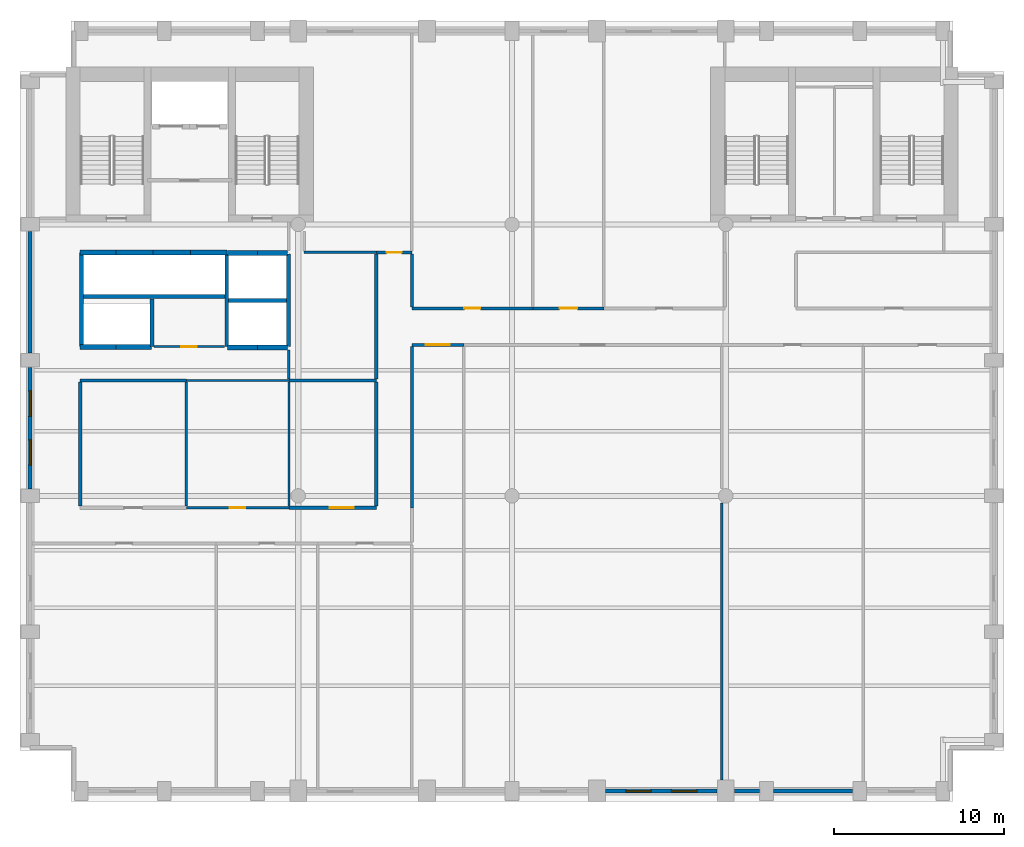
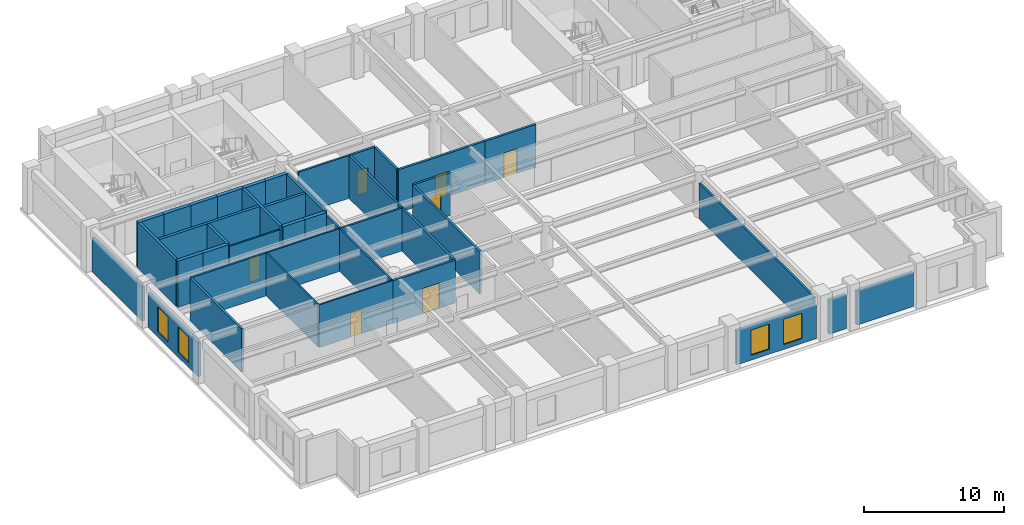
# One storey, part 3 of 8: 41 walls, 7 doors, 4 windows, 11 openings.
"""IFC4 building model written with IfcOpenShell, lengths in metres."""

from ifc_helpers import new_model, si_unit, direction, frame, frame_2d, origin, place, context, subcontext, project, spatial, rectangle, extrude, material, layer, layer_set, type_object, element, fill, save


model = new_model("IFC4")

# Units and contexts
model_context = context("Model", 3, precision=1e-05, world=origin(), true_north=direction((0.0, 1.0)))
body_context = subcontext(model_context, "Body", "Model", "MODEL_VIEW")
ifc_project = project(units=[si_unit("LENGTHUNIT", "METRE"), si_unit("AREAUNIT", "SQUARE_METRE"), si_unit("VOLUMEUNIT", "CUBIC_METRE"), si_unit("PLANEANGLEUNIT", "RADIAN"), si_unit("MASSUNIT", "GRAM", prefix="KILO")], contexts=[model_context])

# Site, building, storey
site_placement = place(None, origin())
site = spatial("IfcSite", under=ifc_project, at=site_placement, CompositionType="ELEMENT")
building_placement = place(site_placement, origin())
building = spatial("IfcBuilding", under=site, at=building_placement, Name="Sulina Concourse Tower", CompositionType="ELEMENT")
storey_placement = place(building_placement, frame((0.0, 0.0, 170.60009765625)))
storey = spatial("IfcBuildingStorey", under=building, at=storey_placement, Name="L41", CompositionType="ELEMENT", Elevation=170.60009765625)

# Walls
ifc_material_1 = material(Name="Concrete C50/60", Category="concrete")
ifc_layer_1 = layer(ifc_material_1, 0.219970703125)
ifc_layer_set_1 = layer_set([ifc_layer_1], Name="Concrete C50/60")
wall_type_1 = type_object("IfcWallType", Name="Core Lift Hoistway Divider Wall 220mm", PredefinedType="SOLIDWALL", material=ifc_layer_set_1)
wall_1_placement = place(storey_placement, frame((3.550048828125, 29.75, 0.0), z_axis=(0.0, 0.0, 1.0), x_axis=(1.0, 0.0, 0.0)))
element("IfcWall", 1, at=wall_1_placement, inside=storey, type_object=wall_type_1, Name="L41 shaft divider wall HW-LP3-S", PredefinedType="SOLIDWALL", context=body_context, shape_type="SweptSolid", body=[
    extrude(rectangle(XDim=8.64990234375, YDim=0.219970703125, at=frame_2d((4.324951171875, 0.0))), origin(), (0.0, 0.0, 1.0), 4.0),
])
wall_2_placement = place(storey_placement, frame((3.6298828125, 26.800048828125, 0.0), z_axis=(0.0, 0.0, 1.0), x_axis=(0.0, 1.0, 0.0)))
element("IfcWall", 2, at=wall_2_placement, inside=storey, type_object=wall_type_1, Name="L41 shaft divider wall HW-LP3-W", PredefinedType="SOLIDWALL", context=body_context, shape_type="SweptSolid", body=[
    extrude(rectangle(XDim=5.550048828125, YDim=0.219970703125, at=frame_2d((2.77490234375, 0.0))), origin(), (0.0, 0.0, 1.0), 4.0),
])
wall_3_placement = place(storey_placement, frame((7.780029296875, 26.800048828125, 0.0), z_axis=(0.0, 0.0, 1.0), x_axis=(0.0, 1.0, 0.0)))
element("IfcWall", 3, at=wall_3_placement, inside=storey, type_object=wall_type_1, Name="L41 shaft divider wall HW-EXP-E", PredefinedType="SOLIDWALL", context=body_context, shape_type="SweptSolid", body=[
    extrude(rectangle(XDim=2.800048828125, YDim=0.219970703125, at=frame_2d((1.39990234375, 0.0))), origin(), (0.0, 0.0, 1.0), 4.0),
])
for number, where, z_axis, x_axis, name in (
    (4, (12.179931640625, 26.800048828125, 0.0), (0.0, 0.0, 1.0), (0.0, 1.0, 0.0), "L41 shaft divider wall HW-LP2-W"),
    (5, (15.820068359375, 26.800048828125, 0.0), (0.0, 0.0, 1.0), (0.0, 1.0, 0.0), "L41 shaft divider wall HW-LP2-E"),
):
    element("IfcWall", number, at=place(storey_placement, frame(where, z_axis=z_axis, x_axis=x_axis)), inside=storey, type_object=wall_type_1, Name=name, PredefinedType="SOLIDWALL", context=body_context, shape_type="SweptSolid", body=[
        extrude(rectangle(XDim=5.449951171875, YDim=0.219970703125, at=frame_2d((2.72509765625, 0.0))), origin(), (0.0, 0.0, 1.0), 4.0),
    ])
wall_4_placement = place(storey_placement, frame((12.300048828125, 29.52001953125, 0.0), z_axis=(0.0, 0.0, 1.0), x_axis=(1.0, 0.0, 0.0)))
element("IfcWall", 6, at=wall_4_placement, inside=storey, type_object=wall_type_1, Name="L41 shaft divider wall HW-LP2-M", PredefinedType="SOLIDWALL", context=body_context, shape_type="SweptSolid", body=[
    extrude(rectangle(XDim=3.39990234375, YDim=0.219970703125, at=frame_2d((1.699951171875, 0.0))), origin(), (0.0, 0.0, 1.0), 4.0),
])
ifc_material_2 = material(Name="Concrete C50/60", Category="concrete")
ifc_layer_2 = layer(ifc_material_2, 0.300048828125)
ifc_layer_set_2 = layer_set([ifc_layer_2], Name="Concrete C50/60")
wall_type_2 = type_object("IfcWallType", Name="Core Lift Hoistway Wall 300mm", PredefinedType="SOLIDWALL", material=ifc_layer_set_2)
for number, where, z_axis, x_axis, name in (
    (7, (14.0, 26.75, 0.0), (0.0, 0.0, 1.0), (-1.0, 0.0, 0.0), "L41 hoistway enclosure wall LP-05"),
    (8, (15.780029296875, 26.75, 0.0), (0.0, 0.0, 1.0), (-1.0, 0.0, 0.0), "L41 hoistway enclosure wall LP-06"),
    (9, (12.219970703125, 32.320068359375, 0.0), (0.0, 0.0, 1.0), (1.0, 0.0, 0.0), "L41 hoistway enclosure wall LP-07"),
    (10, (14.0, 32.320068359375, 0.0), (0.0, 0.0, 1.0), (1.0, 0.0, 0.0), "L41 hoistway enclosure wall LP-08"),
):
    element("IfcWall", number, at=place(storey_placement, frame(where, z_axis=z_axis, x_axis=x_axis)), inside=storey, type_object=wall_type_2, Name=name, PredefinedType="SOLIDWALL", context=body_context, shape_type="SweptSolid", body=[
        extrude(rectangle(XDim=1.780029296875, YDim=0.300048828125, at=frame_2d((0.89013671875, 0.0))), origin(), (0.0, 0.0, 1.0), 4.0),
    ])
wall_5_placement = place(storey_placement, frame((3.550048828125, 32.35009765625, 0.0), z_axis=(0.0, 0.0, 1.0), x_axis=(1.0, 0.0, 0.0)))
element("IfcWall", 11, at=wall_5_placement, inside=storey, type_object=wall_type_2, Name="L41 hoistway enclosure wall LP-09", PredefinedType="SOLIDWALL", context=body_context, shape_type="SweptSolid", body=[
    extrude(rectangle(XDim=2.099853515625, YDim=0.300048828125, at=frame_2d((1.0498046875, 0.0))), origin(), (0.0, 0.0, 1.0), 4.0),
])
wall_6_placement = place(storey_placement, frame((5.64990234375, 32.35009765625, 0.0), z_axis=(0.0, 0.0, 1.0), x_axis=(1.0, 0.0, 0.0)))
element("IfcWall", 12, at=wall_6_placement, inside=storey, type_object=wall_type_2, Name="L41 hoistway enclosure wall LP-10", PredefinedType="SOLIDWALL", context=body_context, shape_type="SweptSolid", body=[
    extrude(rectangle(XDim=2.2001953125, YDim=0.300048828125, at=frame_2d((1.10009765625, 0.0))), origin(), (0.0, 0.0, 1.0), 4.0),
])
wall_7_placement = place(storey_placement, frame((7.85009765625, 32.35009765625, 0.0), z_axis=(0.0, 0.0, 1.0), x_axis=(1.0, 0.0, 0.0)))
element("IfcWall", 13, at=wall_7_placement, inside=storey, type_object=wall_type_2, Name="L41 hoistway enclosure wall LP-11", PredefinedType="SOLIDWALL", context=body_context, shape_type="SweptSolid", body=[
    extrude(rectangle(XDim=2.199951171875, YDim=0.300048828125, at=frame_2d((1.10009765625, 0.0))), origin(), (0.0, 0.0, 1.0), 4.0),
])
wall_8_placement = place(storey_placement, frame((10.050048828125, 32.35009765625, 0.0), z_axis=(0.0, 0.0, 1.0), x_axis=(1.0, 0.0, 0.0)))
element("IfcWall", 14, at=wall_8_placement, inside=storey, type_object=wall_type_2, Name="L41 hoistway enclosure wall LP-12", PredefinedType="SOLIDWALL", context=body_context, shape_type="SweptSolid", body=[
    extrude(rectangle(XDim=2.14990234375, YDim=0.300048828125, at=frame_2d((1.074951171875, 0.0))), origin(), (0.0, 0.0, 1.0), 4.0),
])
wall_9_placement = place(storey_placement, frame((5.64990234375, 26.780029296875, 0.0), z_axis=(0.0, 0.0, 1.0), x_axis=(-1.0, 0.0, 0.0)))
element("IfcWall", 15, at=wall_9_placement, inside=storey, type_object=wall_type_2, Name="L41 hoistway enclosure wall EXP-1", PredefinedType="SOLIDWALL", context=body_context, shape_type="SweptSolid", body=[
    extrude(rectangle(XDim=2.099853515625, YDim=0.300048828125, at=frame_2d((1.0498046875, 0.0))), origin(), (0.0, 0.0, 1.0), 4.0),
])
wall_10_placement = place(storey_placement, frame((7.75, 26.780029296875, 0.0), z_axis=(0.0, 0.0, 1.0), x_axis=(-1.0, 0.0, 0.0)))
element("IfcWall", 16, at=wall_10_placement, inside=storey, type_object=wall_type_2, Name="L41 hoistway enclosure wall EXP-2", PredefinedType="SOLIDWALL", context=body_context, shape_type="SweptSolid", body=[
    extrude(rectangle(XDim=2.10009765625, YDim=0.300048828125, at=frame_2d((1.050048828125, 0.0))), origin(), (0.0, 0.0, 1.0), 4.0),
])

# Wall, openings, windows
ifc_material_3 = material(Name="Precast concrete C50/60", Category="concrete")
ifc_layer_3 = layer(ifc_material_3, 0.239990234375)
ifc_layer_set_3 = layer_set([ifc_layer_3], Name="Precast concrete C50/60")
wall_type_3 = type_object("IfcWallType", Name="Crown Precast Masonry-Frame Facade Wall 240mm", PredefinedType="SOLIDWALL", material=ifc_layer_set_3)
wall_11_placement = place(storey_placement, frame((41.080078125, 0.60009765625, 0.0), z_axis=(0.0, 0.0, 1.0), x_axis=(-1.0, 0.0, 0.0)))
wall_11 = element("IfcWall", 17, at=wall_11_placement, inside=storey, type_object=wall_type_3, Name="L41 exterior precast wall S7", PredefinedType="SOLIDWALL", context=body_context, shape_type="SweptSolid", body=[
    extrude(rectangle(XDim=6.56005859375, YDim=0.239990234375, at=frame_2d((3.280029296875, 0.0))), origin(), (0.0, 0.0, 1.0), 2.974853515625),
])
opening_1_placement = place(wall_11_placement, frame((1.186767578125, 0.0, 0.419921875)))
opening_1 = element("IfcOpeningElement", 18, at=opening_1_placement, cuts=wall_11, Name="Opening WN-71", PredefinedType="OPENING", context=body_context, shape_type="SweptSolid", body=[
    extrude(rectangle(XDim=1.5, YDim=2.199951171875, at=frame_2d((0.75, 1.10009765625))), frame((0.0, 0.1298828125, 0.0), z_axis=(0.0, -1.0, 0.0), x_axis=(1.0, 0.0, 0.0)), (0.0, 0.0, 1.0), 0.260009765625),
])
opening_2_placement = place(wall_11_placement, frame((3.873291015625, 0.0, 0.419921875)))
opening_2 = element("IfcOpeningElement", 19, at=opening_2_placement, cuts=wall_11, Name="Opening WN-71", PredefinedType="OPENING", context=body_context, shape_type="SweptSolid", body=[
    extrude(rectangle(XDim=1.5, YDim=2.199951171875, at=frame_2d((0.75, 1.10009765625))), frame((0.0, 0.1298828125, 0.0), z_axis=(0.0, -1.0, 0.0), x_axis=(1.0, 0.0, 0.0)), (0.0, 0.0, 1.0), 0.260009765625),
])
ifc_material_4 = material(Name="Low-E solar double glazing in bronze aluminium", Category="aluminium")
window_type = type_object("IfcWindowType", Name="Punched Masonry-Frame Window 1500x2200", PartitioningType="SINGLE_PANEL", PredefinedType="WINDOW", material=ifc_material_4)
window_1_placement = place(opening_1_placement, origin())
window_1 = element("IfcWindow", 20, at=window_1_placement, inside=storey, type_object=window_type, Name="L41 punched window S7-1", OverallHeight=2.199951171875, OverallWidth=1.5, PartitioningType="SINGLE_PANEL", PredefinedType="WINDOW", context=body_context, shape_type="SweptSolid", body=[
    extrude(rectangle(XDim=1.5, YDim=2.199951171875, at=frame_2d((0.75, 1.10009765625))), frame((0.0, 0.030029296875, 0.0), z_axis=(0.0, -1.0, 0.0), x_axis=(1.0, 0.0, 0.0)), (0.0, 0.0, 1.0), 0.06005859375),
])
fill(opening_1, window_1)
window_2_placement = place(opening_2_placement, origin())
window_2 = element("IfcWindow", 21, at=window_2_placement, inside=storey, type_object=window_type, Name="L41 punched window S7-2", OverallHeight=2.199951171875, OverallWidth=1.5, PartitioningType="SINGLE_PANEL", PredefinedType="WINDOW", context=body_context, shape_type="SweptSolid", body=[
    extrude(rectangle(XDim=1.5, YDim=2.199951171875, at=frame_2d((0.75, 1.10009765625))), frame((0.0, 0.030029296875, 0.0), z_axis=(0.0, -1.0, 0.0), x_axis=(1.0, 0.0, 0.0)), (0.0, 0.0, 1.0), 0.06005859375),
])
fill(opening_2, window_2)

# Walls
wall_12_placement = place(storey_placement, frame((43.580078125, 0.60009765625, 0.0), z_axis=(0.0, 0.0, 1.0), x_axis=(-1.0, 0.0, 0.0)))
element("IfcWall", 22, at=wall_12_placement, inside=storey, type_object=wall_type_3, Name="L41 exterior precast wall S8", PredefinedType="SOLIDWALL", context=body_context, shape_type="SweptSolid", body=[
    extrude(rectangle(XDim=1.4599609375, YDim=0.239990234375, at=frame_2d((0.72998046875, 0.0))), origin(), (0.0, 0.0, 1.0), 2.974853515625),
])
wall_13_placement = place(storey_placement, frame((49.080078125, 0.60009765625, 0.0), z_axis=(0.0, 0.0, 1.0), x_axis=(-1.0, 0.0, 0.0)))
element("IfcWall", 23, at=wall_13_placement, inside=storey, type_object=wall_type_3, Name="L41 exterior precast wall S9", PredefinedType="SOLIDWALL", context=body_context, shape_type="SweptSolid", body=[
    extrude(rectangle(XDim=4.66015625, YDim=0.239990234375, at=frame_2d((2.330078125, 0.0))), origin(), (0.0, 0.0, 1.0), 2.974853515625),
])

# Wall, openings, windows
wall_14_placement = place(storey_placement, frame((0.60009765625, 18.419921875, 0.0), z_axis=(0.0, 0.0, 1.0), x_axis=(0.0, 1.0, 0.0)))
wall_14 = element("IfcWall", 24, at=wall_14_placement, inside=storey, type_object=wall_type_3, Name="L41 exterior precast wall W3", PredefinedType="SOLIDWALL", context=body_context, shape_type="SweptSolid", body=[
    extrude(rectangle(XDim=7.16015625, YDim=0.239990234375, at=frame_2d((3.580078125, 0.0))), origin(), (0.0, 0.0, 1.0), 2.974853515625),
])
opening_3_placement = place(wall_14_placement, frame((1.38671875, 0.0, 0.419921875)))
opening_3 = element("IfcOpeningElement", 25, at=opening_3_placement, cuts=wall_14, Name="Opening WN-71", PredefinedType="OPENING", context=body_context, shape_type="SweptSolid", body=[
    extrude(rectangle(XDim=1.5, YDim=2.199951171875, at=frame_2d((0.75, 1.10009765625))), frame((0.0, 0.1298828125, 0.0), z_axis=(0.0, -1.0, 0.0), x_axis=(1.0, 0.0, 0.0)), (0.0, 0.0, 1.0), 0.260009765625),
])
opening_4_placement = place(wall_14_placement, frame((4.273193359375, 0.0, 0.419921875)))
opening_4 = element("IfcOpeningElement", 26, at=opening_4_placement, cuts=wall_14, Name="Opening WN-71", PredefinedType="OPENING", context=body_context, shape_type="SweptSolid", body=[
    extrude(rectangle(XDim=1.5, YDim=2.199951171875, at=frame_2d((0.75, 1.10009765625))), frame((0.0, 0.1298828125, 0.0), z_axis=(0.0, -1.0, 0.0), x_axis=(1.0, 0.0, 0.0)), (0.0, 0.0, 1.0), 0.260009765625),
])
window_3_placement = place(opening_3_placement, origin())
window_3 = element("IfcWindow", 27, at=window_3_placement, inside=storey, type_object=window_type, Name="L41 punched window W3-1", OverallHeight=2.199951171875, OverallWidth=1.5, PartitioningType="SINGLE_PANEL", PredefinedType="WINDOW", context=body_context, shape_type="SweptSolid", body=[
    extrude(rectangle(XDim=1.5, YDim=2.199951171875, at=frame_2d((0.75, 1.10009765625))), frame((0.0, 0.030029296875, 0.0), z_axis=(0.0, -1.0, 0.0), x_axis=(1.0, 0.0, 0.0)), (0.0, 0.0, 1.0), 0.06005859375),
])
fill(opening_3, window_3)
window_4_placement = place(opening_4_placement, origin())
window_4 = element("IfcWindow", 28, at=window_4_placement, inside=storey, type_object=window_type, Name="L41 punched window W3-2", OverallHeight=2.199951171875, OverallWidth=1.5, PartitioningType="SINGLE_PANEL", PredefinedType="WINDOW", context=body_context, shape_type="SweptSolid", body=[
    extrude(rectangle(XDim=1.5, YDim=2.199951171875, at=frame_2d((0.75, 1.10009765625))), frame((0.0, 0.030029296875, 0.0), z_axis=(0.0, -1.0, 0.0), x_axis=(1.0, 0.0, 0.0)), (0.0, 0.0, 1.0), 0.06005859375),
])
fill(opening_4, window_4)

# Walls
wall_15_placement = place(storey_placement, frame((0.60009765625, 26.419921875, 0.0), z_axis=(0.0, 0.0, 1.0), x_axis=(0.0, 1.0, 0.0)))
element("IfcWall", 29, at=wall_15_placement, inside=storey, type_object=wall_type_3, Name="L41 exterior precast wall W4", PredefinedType="SOLIDWALL", context=body_context, shape_type="SweptSolid", body=[
    extrude(rectangle(XDim=7.16015625, YDim=0.239990234375, at=frame_2d((3.580078125, 0.0))), origin(), (0.0, 0.0, 1.0), 2.974853515625),
])
ifc_material_5 = material(Name="Gypsum board on steel stud", Category="steel")
ifc_layer_4 = layer(ifc_material_5, 0.14990234375)
ifc_layer_set_4 = layer_set([ifc_layer_4], Name="Gypsum board on steel stud")
wall_type_4 = type_object("IfcWallType", Name="Inter-Tenancy Acoustic Partition 150mm", PredefinedType="PARTITIONING", material=ifc_layer_set_4)
wall_16_placement = place(storey_placement, frame((3.550048828125, 24.800048828125, 0.0), z_axis=(0.0, 0.0, 1.0), x_axis=(1.0, 0.0, 0.0)))
element("IfcWall", 30, at=wall_16_placement, inside=storey, type_object=wall_type_4, Name="L41 interior partition 007", PredefinedType="PARTITIONING", context=body_context, shape_type="SweptSolid", body=[
    extrude(rectangle(XDim=6.25, YDim=0.14990234375, at=frame_2d((3.125, 0.0))), origin(), (0.0, 0.0, 1.0), 3.724853515625),
])
wall_17_placement = place(storey_placement, frame((15.85009765625, 24.800048828125, 0.0), z_axis=(0.0, 0.0, 1.0), x_axis=(1.0, 0.0, 0.0)))
element("IfcWall", 31, at=wall_17_placement, inside=storey, type_object=wall_type_4, Name="L41 interior partition 009", PredefinedType="PARTITIONING", context=body_context, shape_type="SweptSolid", body=[
    extrude(rectangle(XDim=5.14990234375, YDim=0.14990234375, at=frame_2d((2.574951171875, 0.0))), origin(), (0.0, 0.0, 1.0), 3.724853515625),
])
wall_18_placement = place(storey_placement, frame((16.75, 32.35009765625, 0.0), z_axis=(0.0, 0.0, 1.0), x_axis=(1.0, 0.0, 0.0)))
element("IfcWall", 32, at=wall_18_placement, inside=storey, type_object=wall_type_4, Name="L41 interior partition 019", PredefinedType="PARTITIONING", context=body_context, shape_type="SweptSolid", body=[
    extrude(rectangle(XDim=4.25, YDim=0.14990234375, at=frame_2d((2.125, 0.0))), origin(), (0.0, 0.0, 1.0), 3.724853515625),
])
wall_19_placement = place(storey_placement, frame((15.85009765625, 24.875, 0.0), z_axis=(0.0, 0.0, 1.0), x_axis=(0.0, 1.0, 0.0)))
element("IfcWall", 33, at=wall_19_placement, inside=storey, type_object=wall_type_4, Name="L41 interior partition 030", PredefinedType="PARTITIONING", context=body_context, shape_type="SweptSolid", body=[
    extrude(rectangle(XDim=1.72509765625, YDim=0.14990234375, at=frame_2d((0.862548828125, 0.0))), origin(), (0.0, 0.0, 1.0), 3.724853515625),
])
wall_20_placement = place(storey_placement, frame((41.360107421875, 1.25, 0.0), z_axis=(0.0, 0.0, 1.0), x_axis=(0.0, 1.0, 0.0)))
element("IfcWall", 34, at=wall_20_placement, inside=storey, type_object=wall_type_4, Name="L41 interior partition 044", PredefinedType="PARTITIONING", context=body_context, shape_type="SweptSolid", body=[
    extrude(rectangle(XDim=16.324951171875, YDim=0.14990234375, at=frame_2d((8.16259765625, 0.0))), origin(), (0.0, 0.0, 1.0), 3.119873046875),
])

# Wall, opening, door
ifc_material_6 = material(Name="Gypsum board on steel stud", Category="steel")
ifc_layer_5 = layer(ifc_material_6, 0.179931640625)
ifc_layer_set_5 = layer_set([ifc_layer_5], Name="Gypsum board on steel stud")
wall_type_5 = type_object("IfcWallType", Name="Protected Corridor & Riser Partition 180mm", PredefinedType="PARTITIONING", material=ifc_layer_set_5)
wall_21_placement = place(storey_placement, frame((15.85009765625, 17.300048828125, 0.0), z_axis=(0.0, 0.0, 1.0), x_axis=(1.0, 0.0, 0.0)))
wall_21 = element("IfcWall", 35, at=wall_21_placement, inside=storey, type_object=wall_type_5, Name="L41 interior partition 006", PredefinedType="PARTITIONING", context=body_context, shape_type="SweptSolid", body=[
    extrude(rectangle(XDim=5.14990234375, YDim=0.179931640625, at=frame_2d((2.574951171875, 0.0))), origin(), (0.0, 0.0, 1.0), 3.724853515625),
])
opening_5_placement = place(wall_21_placement, frame((2.4150390625, 0.0, 0.0)))
opening_5 = element("IfcOpeningElement", 36, at=opening_5_placement, cuts=wall_21, Name="Opening DR-57", PredefinedType="OPENING", context=body_context, shape_type="SweptSolid", body=[
    extrude(rectangle(XDim=1.39990234375, YDim=2.199951171875, at=frame_2d((0.699951171875, 1.10009765625))), frame((0.0, 0.099853515625, 0.0), z_axis=(0.0, -1.0, 0.0), x_axis=(1.0, 0.0, 0.0)), (0.0, 0.0, 1.0), 0.199951171875),
])
ifc_material_7 = material(Name="Oak-veneered fire door leaf")
ifc_layer_6 = layer(ifc_material_7, 0.054931640625)
ifc_layer_set_6 = layer_set([ifc_layer_6], Name="Oak-veneered fire door leaf")
door_type_1 = type_object("IfcDoorType", Name="Core Lift Lobby Double Fire Door 1400x2200", OperationType="DOUBLE_DOOR_SINGLE_SWING", PredefinedType="DOOR", material=ifc_layer_set_6)
door_1_placement = place(opening_5_placement, origin())
door_1 = element("IfcDoor", 37, at=door_1_placement, inside=storey, type_object=door_type_1, Name="L41 interior door L41-NZ-PKW", OperationType="DOUBLE_DOOR_SINGLE_SWING", OverallHeight=2.199951171875, OverallWidth=1.39990234375, PredefinedType="DOOR", context=body_context, shape_type="SweptSolid", body=[
    extrude(rectangle(XDim=1.39990234375, YDim=2.199951171875, at=frame_2d((0.699951171875, 1.10009765625))), frame((0.0, 0.02490234375, 0.0), z_axis=(0.0, -1.0, 0.0), x_axis=(1.0, 0.0, 0.0)), (0.0, 0.0, 1.0), 0.050048828125),
])
fill(opening_5, door_1)

wall_22_placement = place(storey_placement, frame((23.10009765625, 26.89990234375, 0.0), z_axis=(0.0, 0.0, 1.0), x_axis=(1.0, 0.0, 0.0)))
wall_22 = element("IfcWall", 38, at=wall_22_placement, inside=storey, type_object=wall_type_5, Name="L41 interior partition 011", PredefinedType="PARTITIONING", context=body_context, shape_type="SweptSolid", body=[
    extrude(rectangle(XDim=3.059814453125, YDim=0.179931640625, at=frame_2d((1.52978515625, 0.0))), origin(), (0.0, 0.0, 1.0), 3.724853515625),
])
opening_6_placement = place(wall_22_placement, frame((0.830078125, 0.0, 0.0)))
opening_6 = element("IfcOpeningElement", 39, at=opening_6_placement, cuts=wall_22, Name="Opening DR-57", PredefinedType="OPENING", context=body_context, shape_type="SweptSolid", body=[
    extrude(rectangle(XDim=1.39990234375, YDim=2.199951171875, at=frame_2d((0.699951171875, 1.10009765625))), frame((0.0, 0.099853515625, 0.0), z_axis=(0.0, -1.0, 0.0), x_axis=(1.0, 0.0, 0.0)), (0.0, 0.0, 1.0), 0.199951171875),
])
door_2_placement = place(opening_6_placement, origin())
door_2 = element("IfcDoor", 40, at=door_2_placement, inside=storey, type_object=door_type_1, Name="L41 interior door L41-S03", OperationType="DOUBLE_DOOR_SINGLE_SWING", OverallHeight=2.199951171875, OverallWidth=1.39990234375, PredefinedType="DOOR", context=body_context, shape_type="SweptSolid", body=[
    extrude(rectangle(XDim=1.39990234375, YDim=2.199951171875, at=frame_2d((0.699951171875, 1.10009765625))), frame((0.0, 0.02490234375, 0.0), z_axis=(0.0, -1.0, 0.0), x_axis=(1.0, 0.0, 0.0)), (0.0, 0.0, 1.0), 0.050048828125),
])
fill(opening_6, door_2)

wall_23_placement = place(storey_placement, frame((23.10009765625, 29.050048828125, 0.0), z_axis=(0.0, 0.0, 1.0), x_axis=(1.0, 0.0, 0.0)))
wall_23 = element("IfcWall", 41, at=wall_23_placement, inside=storey, type_object=wall_type_5, Name="L41 interior partition 015", PredefinedType="PARTITIONING", context=body_context, shape_type="SweptSolid", body=[
    extrude(rectangle(XDim=7.1298828125, YDim=0.179931640625, at=frame_2d((3.56494140625, 0.0))), origin(), (0.0, 0.0, 1.0), 3.724853515625),
])
opening_7_placement = place(wall_23_placement, frame((3.090087890625, 0.0, 0.0)))
opening_7 = element("IfcOpeningElement", 42, at=opening_7_placement, cuts=wall_23, Name="Opening DR-19", PredefinedType="OPENING", context=body_context, shape_type="SweptSolid", body=[
    extrude(rectangle(XDim=0.949951171875, YDim=2.14990234375, at=frame_2d((0.47509765625, 1.074951171875))), frame((0.0, 0.099853515625, 0.0), z_axis=(0.0, -1.0, 0.0), x_axis=(1.0, 0.0, 0.0)), (0.0, 0.0, 1.0), 0.199951171875),
])
ifc_material_8 = material(Name="Oak-veneered acoustic timber leaf", Category="wood")
ifc_layer_7 = layer(ifc_material_8, 0.050048828125)
ifc_layer_set_7 = layer_set([ifc_layer_7], Name="Oak-veneered acoustic timber leaf")
door_type_2 = type_object("IfcDoorType", Name="Cellular Office & Meeting Door 950x2150", OperationType="NOTDEFINED", PredefinedType="DOOR", material=ifc_layer_set_7)
door_3_placement = place(opening_7_placement, origin())
door_3 = element("IfcDoor", 43, at=door_3_placement, inside=storey, type_object=door_type_2, Name="L41 interior door L41-NC1", OperationType="SINGLE_SWING_LEFT", OverallHeight=2.14990234375, OverallWidth=0.949951171875, PredefinedType="DOOR", context=body_context, shape_type="SweptSolid", body=[
    extrude(rectangle(XDim=0.949951171875, YDim=2.14990234375, at=frame_2d((0.47509765625, 1.074951171875))), frame((0.0, 0.02490234375, 0.0), z_axis=(0.0, -1.0, 0.0), x_axis=(1.0, 0.0, 0.0)), (0.0, 0.0, 1.0), 0.050048828125),
])
fill(opening_7, door_3)

wall_24_placement = place(storey_placement, frame((30.22998046875, 29.050048828125, 0.0), z_axis=(0.0, 0.0, 1.0), x_axis=(1.0, 0.0, 0.0)))
wall_24 = element("IfcWall", 44, at=wall_24_placement, inside=storey, type_object=wall_type_5, Name="L41 interior partition 016", PredefinedType="PARTITIONING", context=body_context, shape_type="SweptSolid", body=[
    extrude(rectangle(XDim=4.18994140625, YDim=0.179931640625, at=frame_2d((2.094970703125, 0.0))), origin(), (0.0, 0.0, 1.0), 3.724853515625),
])
opening_8_placement = place(wall_24_placement, frame((1.570068359375, 0.0, 0.0)))
opening_8 = element("IfcOpeningElement", 45, at=opening_8_placement, cuts=wall_24, Name="Opening DR-37", PredefinedType="OPENING", context=body_context, shape_type="SweptSolid", body=[
    extrude(rectangle(XDim=1.050048828125, YDim=2.14990234375, at=frame_2d((0.52490234375, 1.074951171875))), frame((0.0, 0.099853515625, 0.0), z_axis=(0.0, -1.0, 0.0), x_axis=(1.0, 0.0, 0.0)), (0.0, 0.0, 1.0), 0.199951171875),
])
ifc_material_9 = material(Name="Oak-veneered fire door leaf")
ifc_layer_8 = layer(ifc_material_9, 0.050048828125)
ifc_layer_set_8 = layer_set([ifc_layer_8], Name="Oak-veneered fire door leaf")
door_type_3 = type_object("IfcDoorType", Name="Tenant Suite Entrance Fire Door 1050x2150", OperationType="NOTDEFINED", PredefinedType="DOOR", material=ifc_layer_set_8)
door_4_placement = place(opening_8_placement, origin())
door_4 = element("IfcDoor", 46, at=door_4_placement, inside=storey, type_object=door_type_3, Name="L41 interior door L41-NC2", OperationType="SINGLE_SWING_RIGHT", OverallHeight=2.14990234375, OverallWidth=1.050048828125, PredefinedType="DOOR", context=body_context, shape_type="SweptSolid", body=[
    extrude(rectangle(XDim=1.050048828125, YDim=2.14990234375, at=frame_2d((0.52490234375, 1.074951171875))), frame((0.0, 0.02490234375, 0.0), z_axis=(0.0, -1.0, 0.0), x_axis=(1.0, 0.0, 0.0)), (0.0, 0.0, 1.0), 0.050048828125),
])
fill(opening_8, door_4)

wall_25_placement = place(storey_placement, frame((21.0, 32.35009765625, 0.0), z_axis=(0.0, 0.0, 1.0), x_axis=(1.0, 0.0, 0.0)))
wall_25 = element("IfcWall", 47, at=wall_25_placement, inside=storey, type_object=wall_type_5, Name="L41 interior partition 020", PredefinedType="PARTITIONING", context=body_context, shape_type="SweptSolid", body=[
    extrude(rectangle(XDim=2.10009765625, YDim=0.179931640625, at=frame_2d((1.050048828125, 0.0))), origin(), (0.0, 0.0, 1.0), 3.724853515625),
])
opening_9_placement = place(wall_25_placement, frame((0.610107421875, 0.0, 0.0)))
opening_9 = element("IfcOpeningElement", 48, at=opening_9_placement, cuts=wall_25, Name="Opening DR-38", PredefinedType="OPENING", context=body_context, shape_type="SweptSolid", body=[
    extrude(rectangle(XDim=0.8798828125, YDim=2.10009765625, at=frame_2d((0.43994140625, 1.050048828125))), frame((0.0, 0.099853515625, 0.0), z_axis=(0.0, -1.0, 0.0), x_axis=(1.0, 0.0, 0.0)), (0.0, 0.0, 1.0), 0.199951171875),
])
ifc_material_10 = material(Name="Galvanised steel acoustic fire leaf", Category="steel")
ifc_layer_9 = layer(ifc_material_10, 0.050048828125)
ifc_layer_set_9 = layer_set([ifc_layer_9], Name="Galvanised steel acoustic fire leaf")
door_type_4 = type_object("IfcDoorType", Name="Service Riser Fire Door 880x2100", OperationType="NOTDEFINED", PredefinedType="DOOR", material=ifc_layer_set_9)
door_5_placement = place(opening_9_placement, origin())
door_5 = element("IfcDoor", 49, at=door_5_placement, inside=storey, type_object=door_type_4, Name="L41 interior door L41-NC-NW", OperationType="SINGLE_SWING_LEFT", OverallHeight=2.10009765625, OverallWidth=0.8798828125, PredefinedType="DOOR", context=body_context, shape_type="SweptSolid", body=[
    extrude(rectangle(XDim=0.8798828125, YDim=2.10009765625, at=frame_2d((0.43994140625, 1.050048828125))), frame((0.0, 0.02490234375, 0.0), z_axis=(0.0, -1.0, 0.0), x_axis=(1.0, 0.0, 0.0)), (0.0, 0.0, 1.0), 0.050048828125),
])
fill(opening_9, door_5)

# Walls
for number, where, z_axis, x_axis, name in (
    (50, (3.550048828125, 17.389892578125, 0.0), (0.0, 0.0, 1.0), (0.0, 1.0, 0.0), "L41 interior partition 026"),
    (51, (21.0, 17.389892578125, 0.0), (0.0, 0.0, 1.0), (0.0, 1.0, 0.0), "L41 interior partition 034"),
):
    element("IfcWall", number, at=place(storey_placement, frame(where, z_axis=z_axis, x_axis=x_axis)), inside=storey, type_object=wall_type_5, Name=name, PredefinedType="PARTITIONING", context=body_context, shape_type="SweptSolid", body=[
        extrude(rectangle(XDim=7.335205078125, YDim=0.179931640625, at=frame_2d((3.66748046875, 0.0))), origin(), (0.0, 0.0, 1.0), 3.724853515625),
    ])
wall_26_placement = place(storey_placement, frame((21.0, 24.875, 0.0), z_axis=(0.0, 0.0, 1.0), x_axis=(0.0, 1.0, 0.0)))
element("IfcWall", 52, at=wall_26_placement, inside=storey, type_object=wall_type_5, Name="L41 interior partition 035", PredefinedType="PARTITIONING", context=body_context, shape_type="SweptSolid", body=[
    extrude(rectangle(XDim=7.385009765625, YDim=0.179931640625, at=frame_2d((3.6923828125, 0.0))), origin(), (0.0, 0.0, 1.0), 3.724853515625),
])
wall_27_placement = place(storey_placement, frame((23.10009765625, 17.300048828125, 0.0), z_axis=(0.0, 0.0, 1.0), x_axis=(0.0, 1.0, 0.0)))
element("IfcWall", 53, at=wall_27_placement, inside=storey, type_object=wall_type_5, Name="L41 interior partition 038", PredefinedType="PARTITIONING", context=body_context, shape_type="SweptSolid", body=[
    extrude(rectangle(XDim=9.510009765625, YDim=0.179931640625, at=frame_2d((4.7548828125, 0.0))), origin(), (0.0, 0.0, 1.0), 3.724853515625),
])
wall_28_placement = place(storey_placement, frame((23.10009765625, 29.139892578125, 0.0), z_axis=(0.0, 0.0, 1.0), x_axis=(0.0, 1.0, 0.0)))
element("IfcWall", 54, at=wall_28_placement, inside=storey, type_object=wall_type_5, Name="L41 interior partition 039", PredefinedType="PARTITIONING", context=body_context, shape_type="SweptSolid", body=[
    extrude(rectangle(XDim=3.1201171875, YDim=0.179931640625, at=frame_2d((1.56005859375, 0.0))), origin(), (0.0, 0.0, 1.0), 3.724853515625),
])

# Wall, opening, door
ifc_material_11 = material(Name="Gypsum board on steel stud", Category="steel")
ifc_layer_10 = layer(ifc_material_11, 0.125)
ifc_layer_set_10 = layer_set([ifc_layer_10], Name="Gypsum board on steel stud")
wall_type_6 = type_object("IfcWallType", Name="Wet-Area Moisture-Resistant Partition 125mm", PredefinedType="PARTITIONING", material=ifc_layer_set_10)
wall_29_placement = place(storey_placement, frame((9.800048828125, 17.300048828125, 0.0), z_axis=(0.0, 0.0, 1.0), x_axis=(1.0, 0.0, 0.0)))
wall_29 = element("IfcWall", 55, at=wall_29_placement, inside=storey, type_object=wall_type_6, Name="L41 interior partition 005", PredefinedType="PARTITIONING", context=body_context, shape_type="SweptSolid", body=[
    extrude(rectangle(XDim=6.050048828125, YDim=0.125, at=frame_2d((3.02490234375, 0.0))), origin(), (0.0, 0.0, 1.0), 3.724853515625),
])
opening_10_placement = place(wall_29_placement, frame((2.574951171875, 0.0, 0.0)))
opening_10 = element("IfcOpeningElement", 56, at=opening_10_placement, cuts=wall_29, Name="Opening DR-21", PredefinedType="OPENING", context=body_context, shape_type="SweptSolid", body=[
    extrude(rectangle(XDim=0.89990234375, YDim=2.10009765625, at=frame_2d((0.449951171875, 1.050048828125))), frame((0.0, 0.072509765625, 0.0), z_axis=(0.0, -1.0, 0.0), x_axis=(1.0, 0.0, 0.0)), (0.0, 0.0, 1.0), 0.14501953125),
])
ifc_material_12 = material(Name="Oak-veneered fire door leaf")
ifc_layer_11 = layer(ifc_material_12, 0.050048828125)
ifc_layer_set_11 = layer_set([ifc_layer_11], Name="Oak-veneered fire door leaf")
door_type_5 = type_object("IfcDoorType", Name="Restroom & Service Door 900x2100", OperationType="NOTDEFINED", PredefinedType="DOOR", material=ifc_layer_set_11)
door_6_placement = place(opening_10_placement, origin())
door_6 = element("IfcDoor", 57, at=door_6_placement, inside=storey, type_object=door_type_5, Name="L41 interior door L41-LR-MRG2", OperationType="SINGLE_SWING_LEFT", OverallHeight=2.10009765625, OverallWidth=0.89990234375, PredefinedType="DOOR", context=body_context, shape_type="SweptSolid", body=[
    extrude(rectangle(XDim=0.89990234375, YDim=2.10009765625, at=frame_2d((0.449951171875, 1.050048828125))), frame((0.0, 0.02490234375, 0.0), z_axis=(0.0, -1.0, 0.0), x_axis=(1.0, 0.0, 0.0)), (0.0, 0.0, 1.0), 0.050048828125),
])
fill(opening_10, door_6)

# Wall
wall_30_placement = place(storey_placement, frame((9.800048828125, 24.800048828125, 0.0), z_axis=(0.0, 0.0, 1.0), x_axis=(1.0, 0.0, 0.0)))
element("IfcWall", 58, at=wall_30_placement, inside=storey, type_object=wall_type_6, Name="L41 interior partition 008", PredefinedType="PARTITIONING", context=body_context, shape_type="SweptSolid", body=[
    extrude(rectangle(XDim=6.050048828125, YDim=0.125, at=frame_2d((3.02490234375, 0.0))), origin(), (0.0, 0.0, 1.0), 3.724853515625),
])

# Wall, opening, door
wall_31_placement = place(storey_placement, frame((7.889892578125, 26.800048828125, 0.0), z_axis=(0.0, 0.0, 1.0), x_axis=(1.0, 0.0, 0.0)))
wall_31 = element("IfcWall", 59, at=wall_31_placement, inside=storey, type_object=wall_type_6, Name="L41 interior partition 010", PredefinedType="PARTITIONING", context=body_context, shape_type="SweptSolid", body=[
    extrude(rectangle(XDim=4.16015625, YDim=0.125, at=frame_2d((2.080078125, 0.0))), origin(), (0.0, 0.0, 1.0), 3.724853515625),
])
opening_11_placement = place(wall_31_placement, frame((1.6201171875, 0.0, 0.0)))
opening_11 = element("IfcOpeningElement", 60, at=opening_11_placement, cuts=wall_31, Name="Opening DR-61", PredefinedType="OPENING", context=body_context, shape_type="SweptSolid", body=[
    extrude(rectangle(XDim=0.919921875, YDim=2.10009765625, at=frame_2d((0.4599609375, 1.050048828125))), frame((0.0, 0.072509765625, 0.0), z_axis=(0.0, -1.0, 0.0), x_axis=(1.0, 0.0, 0.0)), (0.0, 0.0, 1.0), 0.14501953125),
])
ifc_material_13 = material(Name="Oak-veneered fire door leaf")
ifc_layer_12 = layer(ifc_material_13, 0.050048828125)
ifc_layer_set_12 = layer_set([ifc_layer_12], Name="Oak-veneered fire door leaf")
door_type_6 = type_object("IfcDoorType", Name="Accessible WC Door 920x2100", OperationType="NOTDEFINED", PredefinedType="DOOR", material=ifc_layer_set_12)
door_7_placement = place(opening_11_placement, origin())
door_7 = element("IfcDoor", 61, at=door_7_placement, inside=storey, type_object=door_type_6, Name="L41 interior door L41-WC-ACC", OperationType="SINGLE_SWING_RIGHT", OverallHeight=2.10009765625, OverallWidth=0.919921875, PredefinedType="DOOR", context=body_context, shape_type="SweptSolid", body=[
    extrude(rectangle(XDim=0.919921875, YDim=2.10009765625, at=frame_2d((0.4599609375, 1.050048828125))), frame((0.0, 0.02490234375, 0.0), z_axis=(0.0, -1.0, 0.0), x_axis=(1.0, 0.0, 0.0)), (0.0, 0.0, 1.0), 0.050048828125),
])
fill(opening_11, door_7)

# Walls
for number, where, z_axis, x_axis, name in (
    (62, (9.800048828125, 17.389892578125, 0.0), (0.0, 0.0, 1.0), (0.0, 1.0, 0.0), "L41 interior partition 027"),
    (63, (15.85009765625, 17.389892578125, 0.0), (0.0, 0.0, 1.0), (0.0, 1.0, 0.0), "L41 interior partition 029"),
):
    element("IfcWall", number, at=place(storey_placement, frame(where, z_axis=z_axis, x_axis=x_axis)), inside=storey, type_object=wall_type_6, Name=name, PredefinedType="PARTITIONING", context=body_context, shape_type="SweptSolid", body=[
        extrude(rectangle(XDim=7.335205078125, YDim=0.125, at=frame_2d((3.66748046875, 0.0))), origin(), (0.0, 0.0, 1.0), 3.724853515625),
    ])

save(model, "model.ifc")
